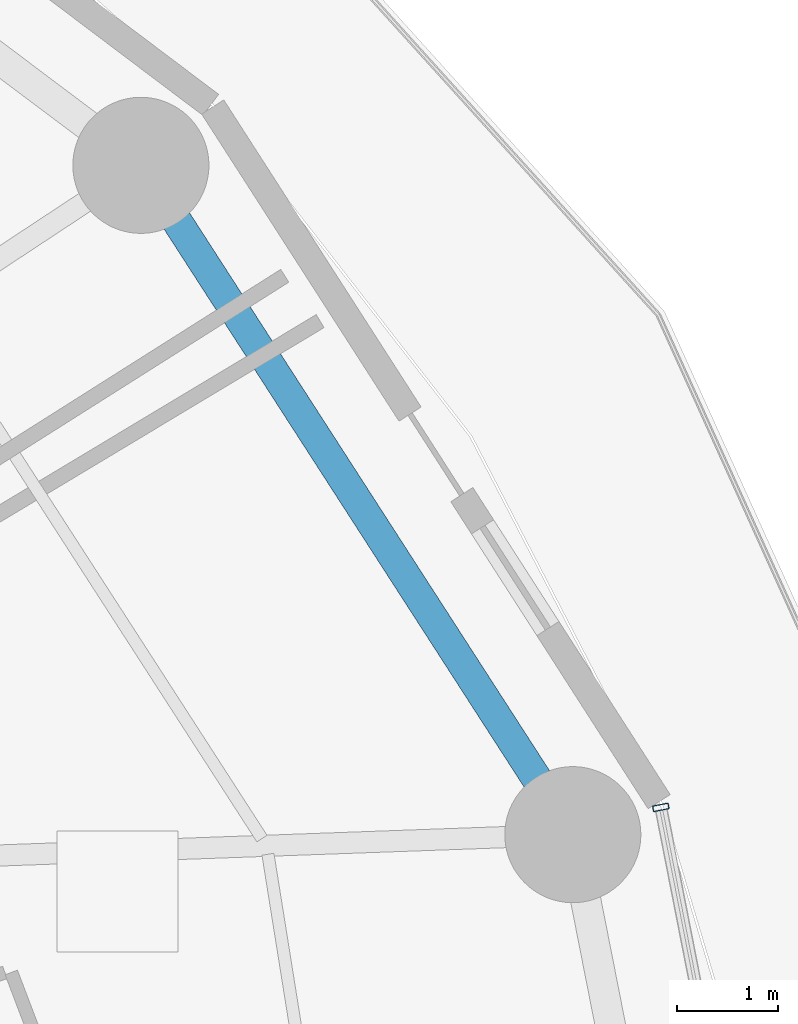
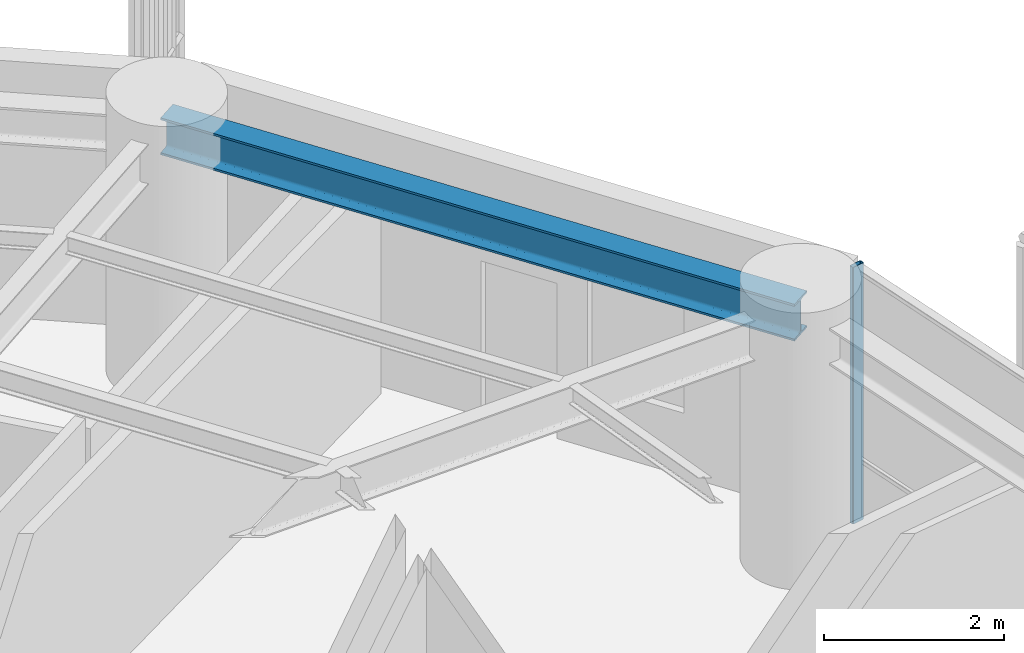
# One storey, part 23 of 34: 1 beam, 1 member, 1 element without a shape of its own.
"""IFC4 building model written with IfcOpenShell, lengths in metres."""

from ifc_helpers import new_model, si_unit, direction, frame, origin, origin_2d, place, context, subcontext, project, spatial, hollow_rectangle, i_section, extrude, material, layer, layer_set, material_profile, profile_set, type_object, element, aggregate, save


model = new_model("IFC4")

# Units and contexts
model_context = context("Model", 3, precision=1e-05, world=origin(), true_north=direction((0.0, 1.0)))
body_context = subcontext(model_context, "Body", "Model", "MODEL_VIEW")
ifc_project = project(units=[si_unit("LENGTHUNIT", "METRE"), si_unit("AREAUNIT", "SQUARE_METRE"), si_unit("VOLUMEUNIT", "CUBIC_METRE"), si_unit("PLANEANGLEUNIT", "RADIAN"), si_unit("MASSUNIT", "GRAM", prefix="KILO")], contexts=[model_context])

# Site, building, storey
site_placement = place(None, origin())
site = spatial("IfcSite", under=ifc_project, at=site_placement, CompositionType="ELEMENT")
building_placement = place(site_placement, origin())
building = spatial("IfcBuilding", under=site, at=building_placement, Name="Kelanora Arch Commons", CompositionType="ELEMENT")
storey_placement = place(building_placement, frame((0.0, 0.0, 76.35009765625)))
storey = spatial("IfcBuildingStorey", under=building, at=storey_placement, Name="L19", CompositionType="ELEMENT", Elevation=76.35009765625)

# Beam
ifc_material_1 = material(Name="Steel S355", Category="steel")
ifc_material_profile_1 = material_profile(ifc_material_1, i_section(OverallWidth=0.300048828125, OverallDepth=0.5, WebThickness=0.014404296875, FlangeThickness=0.028076171875, FilletRadius=0.027099609375, at=origin_2d()), Name="HEB500")
ifc_profile_set_1 = profile_set([ifc_material_profile_1], Name="Steel S355")
beam_type = type_object("IfcBeamType", Name="BM-SPN-Z2", PredefinedType="SPANDREL", material=ifc_profile_set_1)
beam_placement = place(storey_placement, frame((97.191650390625, 65.5517578125, 3.239990234375), z_axis=(-0.542221144054, 0.840235818649, 0.0), x_axis=(-0.840235818649, -0.542221144054, 0.0)))
element("IfcBeam", 1, at=beam_placement, inside=storey, type_object=beam_type, Name="Perimeter Spandrel Beam BS-02 L19", PredefinedType="SPANDREL", context=body_context, shape_type="SweptSolid", body=[
    extrude(i_section(OverallWidth=0.300048828125, OverallDepth=0.5, WebThickness=0.014404296875, FlangeThickness=0.028076171875, FilletRadius=0.027099609375, at=origin_2d()), origin(), (0.0, 0.0, 1.0), 7.90380859375),
])

# Curtain wall, member
ifc_material_2 = material(Name="Terracotta ceramic-fritted low-E glass and aluminium", Category="masonry")
ifc_layer = layer(ifc_material_2, 0.159912109375)
ifc_layer_set = layer_set([ifc_layer], Name="Terracotta ceramic-fritted low-E glass and aluminium")
curtain_wall_type = type_object("IfcCurtainWallType", Name="CW-SYS-01", PredefinedType="NOTDEFINED", material=ifc_layer_set)
curtain_wall_placement = place(storey_placement, origin())
curtain_wall = element("IfcCurtainWall", 2, at=curtain_wall_placement, inside=storey, type_object=curtain_wall_type, Name="Unitised Curtain Wall L19-B00", PredefinedType="NOTDEFINED")
ifc_material_3 = material(Name="Powder-coated aluminium terracotta", Category="masonry")
ifc_material_profile_2 = material_profile(ifc_material_3, hollow_rectangle(XDim=0.159912109375, YDim=0.06005859375, WallThickness=0.0048828125, InnerFilletRadius=0.0048828125, OuterFilletRadius=0.010009765625, at=origin_2d()), Name="CWM160x60")
ifc_profile_set_2 = profile_set([ifc_material_profile_2], Name="Powder-coated aluminium terracotta")
member_type = type_object("IfcMemberType", Name="CWM-STD", PredefinedType="MULLION", material=ifc_profile_set_2)
member_placement = place(storey_placement, frame((98.064697265625, 65.822265625, 0.0), z_axis=(0.0, 0.0, 1.0), x_axis=(-0.981280311646, -0.192584916272, 0.0)))
member = element("IfcMember", 3, at=member_placement, type_object=member_type, Name="CW-01 mullion 3", PredefinedType="MULLION", context=body_context, shape_type="SweptSolid", body=[
    extrude(hollow_rectangle(XDim=0.159912109375, YDim=0.06005859375, WallThickness=0.0048828125, InnerFilletRadius=0.0048828125, OuterFilletRadius=0.010009765625, at=origin_2d()), origin(), (0.0, 0.0, 1.0), 3.474853515625),
])
aggregate(curtain_wall, [member])

save(model, "model.ifc")
